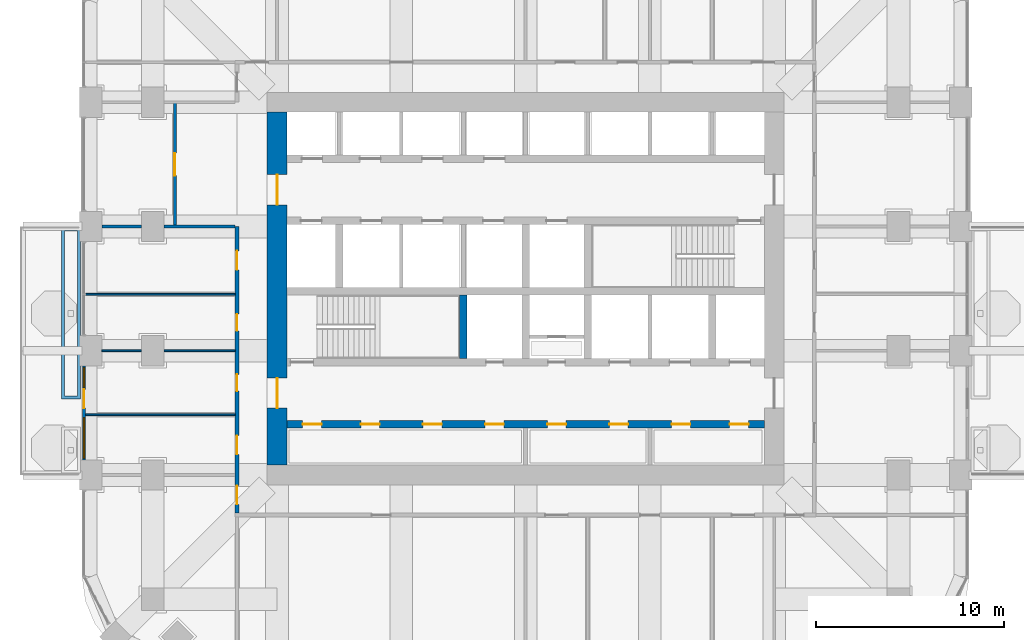
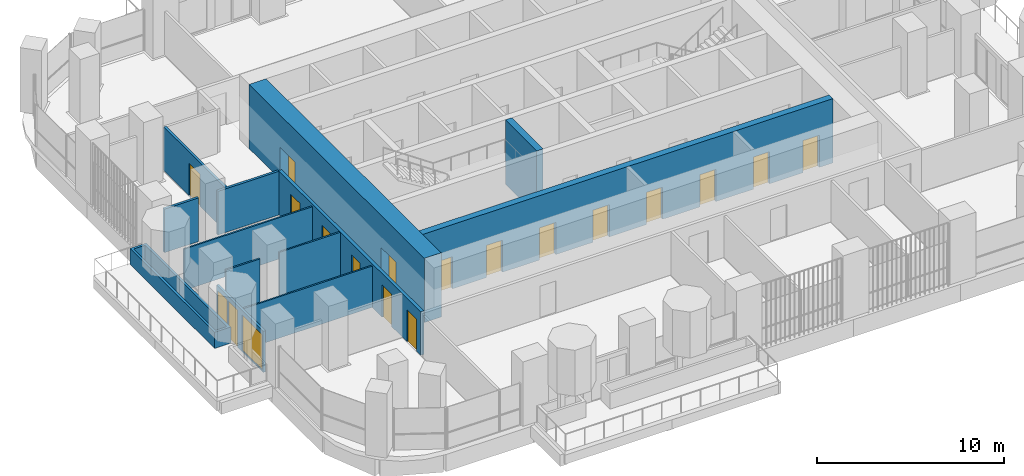
# One storey, part 12 of 20: 17 doors, 13 walls, 2 windows, 19 openings.
"""IFC4 building model written with IfcOpenShell, lengths in metres."""

from ifc_helpers import new_model, si_unit, direction, frame, frame_2d, origin, place, context, subcontext, project, spatial, polyline, rectangle, outline, extrude, material, layer, layer_set, type_object, element, fill, save


model = new_model("IFC4")

# Units and contexts
model_context = context("Model", 3, precision=1e-05, world=origin(), true_north=direction((0.0, 1.0)))
body_context = subcontext(model_context, "Body", "Model", "MODEL_VIEW")
ifc_project = project(units=[si_unit("LENGTHUNIT", "METRE"), si_unit("AREAUNIT", "SQUARE_METRE"), si_unit("VOLUMEUNIT", "CUBIC_METRE"), si_unit("PLANEANGLEUNIT", "RADIAN"), si_unit("MASSUNIT", "GRAM", prefix="KILO")], contexts=[model_context])

# Site, building, storey
site_placement = place(None, origin())
site = spatial("IfcSite", under=ifc_project, at=site_placement, CompositionType="ELEMENT")
building_placement = place(site_placement, origin())
building = spatial("IfcBuilding", under=site, at=building_placement, Name="Cobogo Forest Laboratory Tower", CompositionType="ELEMENT")
storey_placement = place(building_placement, frame((0.0, 0.0, 168.300048828125)))
storey = spatial("IfcBuildingStorey", under=building, at=storey_placement, Name="L38", CompositionType="ELEMENT", Elevation=168.300048828125)

# Wall, openings, doors
ifc_material_1 = material(Name="Concrete HA-50 (C50/60)", Category="concrete")
ifc_layer_1 = layer(ifc_material_1, 0.39990234375)
ifc_layer_set_1 = layer_set([ifc_layer_1], Name="CI400 core inner wall 400")
wall_type_1 = type_object("IfcWallType", Name="CI400 core inner wall 400", PredefinedType="SHEAR", material=ifc_layer_set_1)
wall_1_placement = place(storey_placement, frame((13.72509765625, 15.89990234375, 0.0), z_axis=(0.0, 0.0, 1.0), x_axis=(1.0, 0.0, 0.0)))
wall_1 = element("IfcWall", 1, at=wall_1_placement, inside=storey, type_object=wall_type_1, Name="Core wall CI-15.9 L38", PredefinedType="SHEAR", context=body_context, shape_type="SweptSolid", body=[
    extrude(rectangle(XDim=25.349853515625, YDim=0.39990234375, at=frame_2d((12.6748046875, 0.0))), origin(), (0.0, 0.0, 1.0), 4.199951171875),
])
opening_1_placement = place(wall_1_placement, frame((0.83740234375, 0.0, 0.0)))
opening_1 = element("IfcOpeningElement", 2, at=opening_1_placement, cuts=wall_1, Name="Opening L38-D10", PredefinedType="OPENING", context=body_context, shape_type="SweptSolid", body=[
    extrude(rectangle(XDim=1.0, YDim=2.10009765625, at=frame_2d((0.5, 1.050048828125))), frame((0.0, 0.2099609375, 0.0), z_axis=(0.0, -1.0, 0.0), x_axis=(1.0, 0.0, 0.0)), (0.0, 0.0, 1.0), 0.419921875),
])
opening_2_placement = place(wall_1_placement, frame((3.925048828125, 0.0, 0.0)))
opening_2 = element("IfcOpeningElement", 3, at=opening_2_placement, cuts=wall_1, Name="Opening L38-D11", PredefinedType="OPENING", context=body_context, shape_type="SweptSolid", body=[
    extrude(rectangle(XDim=1.0, YDim=2.10009765625, at=frame_2d((0.5, 1.050048828125))), frame((0.0, 0.2099609375, 0.0), z_axis=(0.0, -1.0, 0.0), x_axis=(1.0, 0.0, 0.0)), (0.0, 0.0, 1.0), 0.419921875),
])
opening_3_placement = place(wall_1_placement, frame((7.22509765625, 0.0, 0.0)))
opening_3 = element("IfcOpeningElement", 4, at=opening_3_placement, cuts=wall_1, Name="Opening L38-D12", PredefinedType="OPENING", context=body_context, shape_type="SweptSolid", body=[
    extrude(rectangle(XDim=1.0, YDim=2.10009765625, at=frame_2d((0.5, 1.050048828125))), frame((0.0, 0.2099609375, 0.0), z_axis=(0.0, -1.0, 0.0), x_axis=(1.0, 0.0, 0.0)), (0.0, 0.0, 1.0), 0.419921875),
])
opening_4_placement = place(wall_1_placement, frame((10.52490234375, 0.0, 0.0)))
opening_4 = element("IfcOpeningElement", 5, at=opening_4_placement, cuts=wall_1, Name="Opening L38-D13", PredefinedType="OPENING", context=body_context, shape_type="SweptSolid", body=[
    extrude(rectangle(XDim=1.0, YDim=2.10009765625, at=frame_2d((0.5, 1.050048828125))), frame((0.0, 0.2099609375, 0.0), z_axis=(0.0, -1.0, 0.0), x_axis=(1.0, 0.0, 0.0)), (0.0, 0.0, 1.0), 0.419921875),
])
opening_5_placement = place(wall_1_placement, frame((13.824951171875, 0.0, 0.0)))
opening_5 = element("IfcOpeningElement", 6, at=opening_5_placement, cuts=wall_1, Name="Opening L38-D14", PredefinedType="OPENING", context=body_context, shape_type="SweptSolid", body=[
    extrude(rectangle(XDim=1.0, YDim=2.10009765625, at=frame_2d((0.5, 1.050048828125))), frame((0.0, 0.2099609375, 0.0), z_axis=(0.0, -1.0, 0.0), x_axis=(1.0, 0.0, 0.0)), (0.0, 0.0, 1.0), 0.419921875),
])
opening_6_placement = place(wall_1_placement, frame((17.125, 0.0, 0.0)))
opening_6 = element("IfcOpeningElement", 7, at=opening_6_placement, cuts=wall_1, Name="Opening L38-D15", PredefinedType="OPENING", context=body_context, shape_type="SweptSolid", body=[
    extrude(rectangle(XDim=1.0, YDim=2.10009765625, at=frame_2d((0.5, 1.050048828125))), frame((0.0, 0.2099609375, 0.0), z_axis=(0.0, -1.0, 0.0), x_axis=(1.0, 0.0, 0.0)), (0.0, 0.0, 1.0), 0.419921875),
])
opening_7_placement = place(wall_1_placement, frame((20.425048828125, 0.0, 0.0)))
opening_7 = element("IfcOpeningElement", 8, at=opening_7_placement, cuts=wall_1, Name="Opening L38-D16", PredefinedType="OPENING", context=body_context, shape_type="SweptSolid", body=[
    extrude(rectangle(XDim=1.0, YDim=2.10009765625, at=frame_2d((0.5, 1.050048828125))), frame((0.0, 0.2099609375, 0.0), z_axis=(0.0, -1.0, 0.0), x_axis=(1.0, 0.0, 0.0)), (0.0, 0.0, 1.0), 0.419921875),
])
opening_8_placement = place(wall_1_placement, frame((23.512451171875, 0.0, 0.0)))
opening_8 = element("IfcOpeningElement", 9, at=opening_8_placement, cuts=wall_1, Name="Opening L38-D17", PredefinedType="OPENING", context=body_context, shape_type="SweptSolid", body=[
    extrude(rectangle(XDim=1.0, YDim=2.10009765625, at=frame_2d((0.5, 1.050048828125))), frame((0.0, 0.2099609375, 0.0), z_axis=(0.0, -1.0, 0.0), x_axis=(1.0, 0.0, 0.0)), (0.0, 0.0, 1.0), 0.419921875),
])
ifc_material_2 = material(Name="Steel fire door", Category="steel")
door_type_1 = type_object("IfcDoorType", Name="FD1 fire door 1000 EI2 60", OperationType="SINGLE_SWING_LEFT", PredefinedType="DOOR", material=ifc_material_2)
door_1_placement = place(opening_1_placement, origin())
door_1 = element("IfcDoor", 10, at=door_1_placement, inside=storey, type_object=door_type_1, Name="Door L38-SH-LA1", OperationType="SINGLE_SWING_LEFT", OverallHeight=2.10009765625, OverallWidth=1.0, PredefinedType="DOOR", context=body_context, shape_type="SweptSolid", body=[
    extrude(rectangle(XDim=1.0, YDim=2.10009765625, at=frame_2d((0.5, 1.050048828125))), frame((0.0, 0.02490234375, 0.0), z_axis=(0.0, -1.0, 0.0), x_axis=(1.0, 0.0, 0.0)), (0.0, 0.0, 1.0), 0.050048828125),
])
fill(opening_1, door_1)
door_2_placement = place(opening_2_placement, origin())
door_2 = element("IfcDoor", 11, at=door_2_placement, inside=storey, type_object=door_type_1, Name="Door L38-SH-LA2", OperationType="SINGLE_SWING_LEFT", OverallHeight=2.10009765625, OverallWidth=1.0, PredefinedType="DOOR", context=body_context, shape_type="SweptSolid", body=[
    extrude(rectangle(XDim=1.0, YDim=2.10009765625, at=frame_2d((0.5, 1.050048828125))), frame((0.0, 0.02490234375, 0.0), z_axis=(0.0, -1.0, 0.0), x_axis=(1.0, 0.0, 0.0)), (0.0, 0.0, 1.0), 0.050048828125),
])
fill(opening_2, door_2)
door_3_placement = place(opening_3_placement, origin())
door_3 = element("IfcDoor", 12, at=door_3_placement, inside=storey, type_object=door_type_1, Name="Door L38-SH-LA3", OperationType="SINGLE_SWING_LEFT", OverallHeight=2.10009765625, OverallWidth=1.0, PredefinedType="DOOR", context=body_context, shape_type="SweptSolid", body=[
    extrude(rectangle(XDim=1.0, YDim=2.10009765625, at=frame_2d((0.5, 1.050048828125))), frame((0.0, 0.02490234375, 0.0), z_axis=(0.0, -1.0, 0.0), x_axis=(1.0, 0.0, 0.0)), (0.0, 0.0, 1.0), 0.050048828125),
])
fill(opening_3, door_3)
door_4_placement = place(opening_4_placement, origin())
door_4 = element("IfcDoor", 13, at=door_4_placement, inside=storey, type_object=door_type_1, Name="Door L38-SH-LA4", OperationType="SINGLE_SWING_LEFT", OverallHeight=2.10009765625, OverallWidth=1.0, PredefinedType="DOOR", context=body_context, shape_type="SweptSolid", body=[
    extrude(rectangle(XDim=1.0, YDim=2.10009765625, at=frame_2d((0.5, 1.050048828125))), frame((0.0, 0.02490234375, 0.0), z_axis=(0.0, -1.0, 0.0), x_axis=(1.0, 0.0, 0.0)), (0.0, 0.0, 1.0), 0.050048828125),
])
fill(opening_4, door_4)
door_5_placement = place(opening_5_placement, origin())
door_5 = element("IfcDoor", 14, at=door_5_placement, inside=storey, type_object=door_type_1, Name="Door L38-SH-LB1", OperationType="SINGLE_SWING_RIGHT", OverallHeight=2.10009765625, OverallWidth=1.0, PredefinedType="DOOR", context=body_context, shape_type="SweptSolid", body=[
    extrude(rectangle(XDim=1.0, YDim=2.10009765625, at=frame_2d((0.5, 1.050048828125))), frame((0.0, 0.02490234375, 0.0), z_axis=(0.0, -1.0, 0.0), x_axis=(1.0, 0.0, 0.0)), (0.0, 0.0, 1.0), 0.050048828125),
])
fill(opening_5, door_5)
door_6_placement = place(opening_6_placement, origin())
door_6 = element("IfcDoor", 15, at=door_6_placement, inside=storey, type_object=door_type_1, Name="Door L38-SH-LB2", OperationType="SINGLE_SWING_RIGHT", OverallHeight=2.10009765625, OverallWidth=1.0, PredefinedType="DOOR", context=body_context, shape_type="SweptSolid", body=[
    extrude(rectangle(XDim=1.0, YDim=2.10009765625, at=frame_2d((0.5, 1.050048828125))), frame((0.0, 0.02490234375, 0.0), z_axis=(0.0, -1.0, 0.0), x_axis=(1.0, 0.0, 0.0)), (0.0, 0.0, 1.0), 0.050048828125),
])
fill(opening_6, door_6)
door_7_placement = place(opening_7_placement, origin())
door_7 = element("IfcDoor", 16, at=door_7_placement, inside=storey, type_object=door_type_1, Name="Door L38-SH-LB3", OperationType="SINGLE_SWING_RIGHT", OverallHeight=2.10009765625, OverallWidth=1.0, PredefinedType="DOOR", context=body_context, shape_type="SweptSolid", body=[
    extrude(rectangle(XDim=1.0, YDim=2.10009765625, at=frame_2d((0.5, 1.050048828125))), frame((0.0, 0.02490234375, 0.0), z_axis=(0.0, -1.0, 0.0), x_axis=(1.0, 0.0, 0.0)), (0.0, 0.0, 1.0), 0.050048828125),
])
fill(opening_7, door_7)
door_8_placement = place(opening_8_placement, origin())
door_8 = element("IfcDoor", 17, at=door_8_placement, inside=storey, type_object=door_type_1, Name="Door L38-SH-LB4", OperationType="SINGLE_SWING_RIGHT", OverallHeight=2.10009765625, OverallWidth=1.0, PredefinedType="DOOR", context=body_context, shape_type="SweptSolid", body=[
    extrude(rectangle(XDim=1.0, YDim=2.10009765625, at=frame_2d((0.5, 1.050048828125))), frame((0.0, 0.02490234375, 0.0), z_axis=(0.0, -1.0, 0.0), x_axis=(1.0, 0.0, 0.0)), (0.0, 0.0, 1.0), 0.050048828125),
])
fill(opening_8, door_8)

# Wall
wall_2_placement = place(storey_placement, frame((23.10009765625, 19.39990234375, 0.0), z_axis=(0.0, 0.0, 1.0), x_axis=(0.0, 1.0, 0.0)))
element("IfcWall", 18, at=wall_2_placement, inside=storey, type_object=wall_type_1, Name="Core wall CX-23.1 L38", PredefinedType="SHEAR", context=body_context, shape_type="SweptSolid", body=[
    extrude(rectangle(XDim=3.35009765625, YDim=0.39990234375, at=frame_2d((1.675048828125, 0.0))), origin(), (0.0, 0.0, 1.0), 4.199951171875),
])

# Wall, openings, doors
ifc_layer_2 = layer(ifc_material_1, 1.050048828125)
ifc_layer_set_2 = layer_set([ifc_layer_2], Name="CW1050 core outer wall 1050")
wall_type_2 = type_object("IfcWallType", Name="CW1050 core outer wall 1050", PredefinedType="SHEAR", material=ifc_layer_set_2)
wall_3_placement = place(storey_placement, frame((13.199951171875, 32.47509765625, 0.0), z_axis=(0.0, 0.0, 1.0), x_axis=(0.0, -1.0, 0.0)))
wall_3 = element("IfcWall", 19, at=wall_3_placement, inside=storey, type_object=wall_type_2, Name="Core wall CO-W L38", PredefinedType="SHEAR", context=body_context, shape_type="SweptSolid", body=[
    extrude(rectangle(XDim=18.75, YDim=1.050048828125, at=frame_2d((9.375, 0.0))), origin(), (0.0, 0.0, 1.0), 4.199951171875),
])
opening_9_placement = place(wall_3_placement, frame((14.125, 0.0, 0.0)))
opening_9 = element("IfcOpeningElement", 20, at=opening_9_placement, cuts=wall_3, Name="Opening L38-D20", PredefinedType="OPENING", context=body_context, shape_type="SweptSolid", body=[
    extrude(rectangle(XDim=1.60009765625, YDim=2.10009765625, at=frame_2d((0.800048828125, 1.050048828125))), frame((0.0, 0.534912109375, 0.0), z_axis=(0.0, -1.0, 0.0), x_axis=(1.0, 0.0, 0.0)), (0.0, 0.0, 1.0), 1.070068359375),
])
opening_10_placement = place(wall_3_placement, frame((3.324951171875, 0.0, 0.0)))
opening_10 = element("IfcOpeningElement", 21, at=opening_10_placement, cuts=wall_3, Name="Opening L38-D32", PredefinedType="OPENING", context=body_context, shape_type="SweptSolid", body=[
    extrude(rectangle(XDim=1.60009765625, YDim=2.10009765625, at=frame_2d((0.800048828125, 1.050048828125))), frame((0.0, 0.534912109375, 0.0), z_axis=(0.0, -1.0, 0.0), x_axis=(1.0, 0.0, 0.0)), (0.0, 0.0, 1.0), 1.070068359375),
])
door_type_2 = type_object("IfcDoorType", Name="DS2 protected lobby door pair 1600 EI2 60", OperationType="DOUBLE_DOOR_DOUBLE_SWING", PredefinedType="DOOR", material=ifc_material_2)
door_9_placement = place(opening_9_placement, origin())
door_9 = element("IfcDoor", 22, at=door_9_placement, inside=storey, type_object=door_type_2, Name="Door L38-CO-W-S", OperationType="DOUBLE_DOOR_DOUBLE_SWING", OverallHeight=2.10009765625, OverallWidth=1.60009765625, PredefinedType="DOOR", context=body_context, shape_type="SweptSolid", body=[
    extrude(rectangle(XDim=1.60009765625, YDim=2.10009765625, at=frame_2d((0.800048828125, 1.050048828125))), frame((0.0, 0.02490234375, 0.0), z_axis=(0.0, -1.0, 0.0), x_axis=(1.0, 0.0, 0.0)), (0.0, 0.0, 1.0), 0.050048828125),
])
fill(opening_9, door_9)
door_10_placement = place(opening_10_placement, origin())
door_10 = element("IfcDoor", 23, at=door_10_placement, inside=storey, type_object=door_type_2, Name="Door L38-CO-W-N", OperationType="DOUBLE_DOOR_DOUBLE_SWING", OverallHeight=2.10009765625, OverallWidth=1.60009765625, PredefinedType="DOOR", context=body_context, shape_type="SweptSolid", body=[
    extrude(rectangle(XDim=1.60009765625, YDim=2.10009765625, at=frame_2d((0.800048828125, 1.050048828125))), frame((0.0, 0.02490234375, 0.0), z_axis=(0.0, -1.0, 0.0), x_axis=(1.0, 0.0, 0.0)), (0.0, 0.0, 1.0), 0.050048828125),
])
fill(opening_10, door_10)

# Wall, openings, door, windows
ifc_material_3 = material(Name="Aluminium framed glazed screen", Category="aluminium")
ifc_layer_3 = layer(ifc_material_3, 0.14990234375)
ifc_layer_set_3 = layer_set([ifc_layer_3], Name="GS1 glazed door screen 150")
wall_type_3 = type_object("IfcWallType", Name="GS1 glazed door screen 150", PredefinedType="SOLIDWALL", material=ifc_layer_set_3)
wall_4_placement = place(storey_placement, frame((2.949951171875, 19.0, 0.0), z_axis=(0.0, 0.0, 1.0), x_axis=(0.0, -1.0, 0.0)))
wall_4 = element("IfcWall", 24, at=wall_4_placement, inside=storey, type_object=wall_type_3, Name="Door screen BAL-W1 L38", PredefinedType="SOLIDWALL", context=body_context, shape_type="SweptSolid", body=[
    extrude(rectangle(XDim=5.0, YDim=0.14990234375, at=frame_2d((2.5, 0.0))), origin(), (0.0, 0.0, 1.0), 2.699951171875),
])
opening_11_placement = place(wall_4_placement, frame((1.25, 0.0, 0.0)))
opening_11 = element("IfcOpeningElement", 25, at=opening_11_placement, cuts=wall_4, Name="Opening L38-D18", PredefinedType="OPENING", context=body_context, shape_type="SweptSolid", body=[
    extrude(rectangle(XDim=1.0, YDim=2.39990234375, at=frame_2d((0.5, 1.199951171875))), frame((0.0, 0.0849609375, 0.0), z_axis=(0.0, -1.0, 0.0), x_axis=(1.0, 0.0, 0.0)), (0.0, 0.0, 1.0), 0.169921875),
])
opening_12_placement = place(wall_4_placement, frame((0.10009765625, 0.0, 0.10009765625)))
opening_12 = element("IfcOpeningElement", 26, at=opening_12_placement, cuts=wall_4, Name="Opening L38-W05", PredefinedType="OPENING", context=body_context, shape_type="SweptSolid", body=[
    extrude(rectangle(XDim=1.050048828125, YDim=2.300048828125, at=frame_2d((0.52490234375, 1.14990234375))), frame((0.0, 0.0849609375, 0.0), z_axis=(0.0, -1.0, 0.0), x_axis=(1.0, 0.0, 0.0)), (0.0, 0.0, 1.0), 0.169921875),
])
opening_13_placement = place(wall_4_placement, frame((2.75, 0.0, 0.10009765625)))
opening_13 = element("IfcOpeningElement", 27, at=opening_13_placement, cuts=wall_4, Name="Opening L38-W03", PredefinedType="OPENING", context=body_context, shape_type="SweptSolid", body=[
    extrude(rectangle(XDim=2.14990234375, YDim=2.300048828125, at=frame_2d((1.074951171875, 1.14990234375))), frame((0.0, 0.0849609375, 0.0), z_axis=(0.0, -1.0, 0.0), x_axis=(1.0, 0.0, 0.0)), (0.0, 0.0, 1.0), 0.169921875),
])
ifc_material_4 = material(Name="Aluminium glazed door", Category="aluminium")
door_type_3 = type_object("IfcDoorType", Name="DB1 balcony door 1000 glazed", OperationType="SINGLE_SWING_LEFT", PredefinedType="DOOR", material=ifc_material_4)
door_11_placement = place(opening_11_placement, origin())
door_11 = element("IfcDoor", 28, at=door_11_placement, inside=storey, type_object=door_type_3, Name="Door L38-BAL-W1", OperationType="SINGLE_SWING_LEFT", OverallHeight=2.39990234375, OverallWidth=1.0, PredefinedType="DOOR", context=body_context, shape_type="SweptSolid", body=[
    extrude(rectangle(XDim=1.0, YDim=2.39990234375, at=frame_2d((0.5, 1.199951171875))), frame((0.0, 0.02490234375, 0.0), z_axis=(0.0, -1.0, 0.0), x_axis=(1.0, 0.0, 0.0)), (0.0, 0.0, 1.0), 0.050048828125),
])
fill(opening_11, door_11)
ifc_material_5 = material(Name="Aluminium framed glazing", Category="aluminium")
window_type_1 = type_object("IfcWindowType", Name="WG13 fixed glazed light 2150x2300", PartitioningType="SINGLE_PANEL", PredefinedType="WINDOW", material=ifc_material_5)
window_1_placement = place(opening_13_placement, origin())
window_1 = element("IfcWindow", 29, at=window_1_placement, inside=storey, type_object=window_type_1, Name="Window L38-BAL-W1-2", OverallHeight=2.300048828125, OverallWidth=2.14990234375, PartitioningType="SINGLE_PANEL", PredefinedType="WINDOW", context=body_context, shape_type="SweptSolid", body=[
    extrude(rectangle(XDim=2.14990234375, YDim=2.300048828125, at=frame_2d((1.074951171875, 1.14990234375))), frame((0.0, 0.030029296875, 0.0), z_axis=(0.0, -1.0, 0.0), x_axis=(1.0, 0.0, 0.0)), (0.0, 0.0, 1.0), 0.06005859375),
])
fill(opening_13, window_1)
window_type_2 = type_object("IfcWindowType", Name="WG14 fixed glazed light 1050x2300", PartitioningType="SINGLE_PANEL", PredefinedType="WINDOW", material=ifc_material_5)
window_2_placement = place(opening_12_placement, origin())
window_2 = element("IfcWindow", 30, at=window_2_placement, inside=storey, type_object=window_type_2, Name="Window L38-BAL-W1-1", OverallHeight=2.300048828125, OverallWidth=1.050048828125, PartitioningType="SINGLE_PANEL", PredefinedType="WINDOW", context=body_context, shape_type="SweptSolid", body=[
    extrude(rectangle(XDim=1.050048828125, YDim=2.300048828125, at=frame_2d((0.52490234375, 1.14990234375))), frame((0.0, 0.030029296875, 0.0), z_axis=(0.0, -1.0, 0.0), x_axis=(1.0, 0.0, 0.0)), (0.0, 0.0, 1.0), 0.06005859375),
])
fill(opening_12, window_2)

# Wall, opening, door
ifc_material_6 = material(Name="Gypsum board on steel studs", Category="steel")
ifc_layer_4 = layer(ifc_material_6, 0.14990234375)
ifc_layer_set_4 = layer_set([ifc_layer_4], Name="PT1 laboratory partition 150")
wall_type_4 = type_object("IfcWallType", Name="PT1 laboratory partition 150", PredefinedType="PARTITIONING", material=ifc_layer_set_4)
wall_5_placement = place(storey_placement, frame((7.77490234375, 26.39990234375, 0.0), z_axis=(0.0, 0.0, 1.0), x_axis=(0.0, 1.0, 0.0)))
wall_5 = element("IfcWall", 31, at=wall_5_placement, inside=storey, type_object=wall_type_4, Name="Partition NODE-W-1 L38", PredefinedType="PARTITIONING", context=body_context, shape_type="SweptSolid", body=[
    extrude(rectangle(XDim=6.60009765625, YDim=0.14990234375, at=frame_2d((3.300048828125, 0.0))), origin(), (0.0, 0.0, 1.0), 2.849853515625),
])
opening_14_placement = place(wall_5_placement, frame((2.699951171875, 0.0, 0.0)))
opening_14 = element("IfcOpeningElement", 32, at=opening_14_placement, cuts=wall_5, Name="Opening L38-D34", PredefinedType="OPENING", context=body_context, shape_type="SweptSolid", body=[
    extrude(rectangle(XDim=1.199951171875, YDim=2.10009765625, at=frame_2d((0.60009765625, 1.050048828125))), frame((0.0, 0.0849609375, 0.0), z_axis=(0.0, -1.0, 0.0), x_axis=(1.0, 0.0, 0.0)), (0.0, 0.0, 1.0), 0.169921875),
])
ifc_material_7 = material(Name="Timber door", Category="wood")
door_type_4 = type_object("IfcDoorType", Name="D2 laboratory door 1200 unequal pair", OperationType="DOUBLE_DOOR_SINGLE_SWING", PredefinedType="DOOR", material=ifc_material_7)
door_12_placement = place(opening_14_placement, origin())
door_12 = element("IfcDoor", 33, at=door_12_placement, inside=storey, type_object=door_type_4, Name="Door L38-W3", OperationType="DOUBLE_DOOR_SINGLE_SWING", OverallHeight=2.10009765625, OverallWidth=1.199951171875, PredefinedType="DOOR", context=body_context, shape_type="SweptSolid", body=[
    extrude(rectangle(XDim=1.199951171875, YDim=2.10009765625, at=frame_2d((0.60009765625, 1.050048828125))), frame((0.0, 0.02490234375, 0.0), z_axis=(0.0, -1.0, 0.0), x_axis=(1.0, 0.0, 0.0)), (0.0, 0.0, 1.0), 0.050048828125),
])
fill(opening_14, door_12)

# Walls
wall_6_placement = place(storey_placement, frame((3.89990234375, 26.39990234375, 0.0), z_axis=(0.0, 0.0, 1.0), x_axis=(1.0, 0.0, 0.0)))
element("IfcWall", 34, at=wall_6_placement, inside=storey, type_object=wall_type_4, Name="Partition CUT-W26.4-1 L38", PredefinedType="PARTITIONING", context=body_context, shape_type="SweptSolid", body=[
    extrude(rectangle(XDim=2.10009765625, YDim=0.14990234375, at=frame_2d((1.050048828125, 0.0))), origin(), (0.0, 0.0, 1.0), 2.849853515625),
])
wall_7_placement = place(storey_placement, frame((7.199951171875, 26.39990234375, 0.0), z_axis=(0.0, 0.0, 1.0), x_axis=(1.0, 0.0, 0.0)))
element("IfcWall", 35, at=wall_7_placement, inside=storey, type_object=wall_type_4, Name="Partition CUT-W26.4-2 L38", PredefinedType="PARTITIONING", context=body_context, shape_type="SweptSolid", body=[
    extrude(rectangle(XDim=3.775146484375, YDim=0.14990234375, at=frame_2d((1.8876953125, 0.0))), origin(), (0.0, 0.0, 1.0), 2.849853515625),
])

# Wall, openings, doors
ifc_layer_5 = layer(ifc_material_6, 0.199951171875)
ifc_layer_set_5 = layer_set([ifc_layer_5], Name="PT2 fire-rated corridor partition 200")
wall_type_5 = type_object("IfcWallType", Name="PT2 fire-rated corridor partition 200", PredefinedType="PARTITIONING", material=ifc_layer_set_5)
wall_8_placement = place(storey_placement, frame((11.074951171875, 11.175048828125, 0.0), z_axis=(0.0, 0.0, 1.0), x_axis=(0.0, 1.0, 0.0)))
wall_8 = element("IfcWall", 36, at=wall_8_placement, inside=storey, type_object=wall_type_5, Name="Partition CORR-W-1 L38", PredefinedType="PARTITIONING", context=body_context, shape_type="SweptSolid", body=[
    extrude(rectangle(XDim=15.224853515625, YDim=0.199951171875, at=frame_2d((7.6123046875, 0.0))), origin(), (0.0, 0.0, 1.0), 2.849853515625),
])
opening_15_placement = place(wall_8_placement, frame((0.46240234375, 0.0, 0.0)))
opening_15 = element("IfcOpeningElement", 37, at=opening_15_placement, cuts=wall_8, Name="Opening L38-D07", PredefinedType="OPENING", context=body_context, shape_type="SweptSolid", body=[
    extrude(rectangle(XDim=1.0, YDim=2.10009765625, at=frame_2d((0.5, 1.050048828125))), frame((0.0, 0.10986328125, 0.0), z_axis=(0.0, -1.0, 0.0), x_axis=(1.0, 0.0, 0.0)), (0.0, 0.0, 1.0), 0.219970703125),
])
opening_16_placement = place(wall_8_placement, frame((3.125, 0.0, 0.0)))
opening_16 = element("IfcOpeningElement", 38, at=opening_16_placement, cuts=wall_8, Name="Opening L38-D08", PredefinedType="OPENING", context=body_context, shape_type="SweptSolid", body=[
    extrude(rectangle(XDim=1.0, YDim=2.10009765625, at=frame_2d((0.5, 1.050048828125))), frame((0.0, 0.10986328125, 0.0), z_axis=(0.0, -1.0, 0.0), x_axis=(1.0, 0.0, 0.0)), (0.0, 0.0, 1.0), 0.219970703125),
])
opening_17_placement = place(wall_8_placement, frame((6.47509765625, 0.0, 0.0)))
opening_17 = element("IfcOpeningElement", 39, at=opening_17_placement, cuts=wall_8, Name="Opening L38-D22", PredefinedType="OPENING", context=body_context, shape_type="SweptSolid", body=[
    extrude(rectangle(XDim=0.89990234375, YDim=2.10009765625, at=frame_2d((0.449951171875, 1.050048828125))), frame((0.0, 0.10986328125, 0.0), z_axis=(0.0, -1.0, 0.0), x_axis=(1.0, 0.0, 0.0)), (0.0, 0.0, 1.0), 0.219970703125),
])
opening_18_placement = place(wall_8_placement, frame((9.675048828125, 0.0, 0.0)))
opening_18 = element("IfcOpeningElement", 40, at=opening_18_placement, cuts=wall_8, Name="Opening L38-D27", PredefinedType="OPENING", context=body_context, shape_type="SweptSolid", body=[
    extrude(rectangle(XDim=0.89990234375, YDim=2.10009765625, at=frame_2d((0.449951171875, 1.050048828125))), frame((0.0, 0.10986328125, 0.0), z_axis=(0.0, -1.0, 0.0), x_axis=(1.0, 0.0, 0.0)), (0.0, 0.0, 1.0), 0.219970703125),
])
opening_19_placement = place(wall_8_placement, frame((12.925048828125, 0.0, 0.0)))
opening_19 = element("IfcOpeningElement", 41, at=opening_19_placement, cuts=wall_8, Name="Opening L38-D29", PredefinedType="OPENING", context=body_context, shape_type="SweptSolid", body=[
    extrude(rectangle(XDim=1.0, YDim=2.10009765625, at=frame_2d((0.5, 1.050048828125))), frame((0.0, 0.10986328125, 0.0), z_axis=(0.0, -1.0, 0.0), x_axis=(1.0, 0.0, 0.0)), (0.0, 0.0, 1.0), 0.219970703125),
])
ifc_material_8 = material(Name="Timber fire door", Category="wood")
door_type_5 = type_object("IfcDoorType", Name="FD2 fire door 1000 EI2 30", OperationType="SINGLE_SWING_LEFT", PredefinedType="DOOR", material=ifc_material_8)
door_13_placement = place(opening_15_placement, origin())
door_13 = element("IfcDoor", 42, at=door_13_placement, inside=storey, type_object=door_type_5, Name="Door L38-W1", OperationType="SINGLE_SWING_LEFT", OverallHeight=2.10009765625, OverallWidth=1.0, PredefinedType="DOOR", context=body_context, shape_type="SweptSolid", body=[
    extrude(rectangle(XDim=1.0, YDim=2.10009765625, at=frame_2d((0.5, 1.050048828125))), frame((0.0, 0.02490234375, 0.0), z_axis=(0.0, -1.0, 0.0), x_axis=(1.0, 0.0, 0.0)), (0.0, 0.0, 1.0), 0.050048828125),
])
fill(opening_15, door_13)
door_14_placement = place(opening_19_placement, origin())
door_14 = element("IfcDoor", 43, at=door_14_placement, inside=storey, type_object=door_type_5, Name="Door L38-SHW", OperationType="SINGLE_SWING_RIGHT", OverallHeight=2.10009765625, OverallWidth=1.0, PredefinedType="DOOR", context=body_context, shape_type="SweptSolid", body=[
    extrude(rectangle(XDim=1.0, YDim=2.10009765625, at=frame_2d((0.5, 1.050048828125))), frame((0.0, 0.02490234375, 0.0), z_axis=(0.0, -1.0, 0.0), x_axis=(1.0, 0.0, 0.0)), (0.0, 0.0, 1.0), 0.050048828125),
])
fill(opening_19, door_14)
door_type_6 = type_object("IfcDoorType", Name="FD3 toilet fire door 900 EI2 30", OperationType="SINGLE_SWING_LEFT", PredefinedType="DOOR", material=ifc_material_8)
door_15_placement = place(opening_17_placement, origin())
door_15 = element("IfcDoor", 44, at=door_15_placement, inside=storey, type_object=door_type_6, Name="Door L38-WCF", OperationType="SINGLE_SWING_LEFT", OverallHeight=2.10009765625, OverallWidth=0.89990234375, PredefinedType="DOOR", context=body_context, shape_type="SweptSolid", body=[
    extrude(rectangle(XDim=0.89990234375, YDim=2.10009765625, at=frame_2d((0.449951171875, 1.050048828125))), frame((0.0, 0.02490234375, 0.0), z_axis=(0.0, -1.0, 0.0), x_axis=(1.0, 0.0, 0.0)), (0.0, 0.0, 1.0), 0.050048828125),
])
fill(opening_17, door_15)
door_16_placement = place(opening_18_placement, origin())
door_16 = element("IfcDoor", 45, at=door_16_placement, inside=storey, type_object=door_type_6, Name="Door L38-WCM", OperationType="SINGLE_SWING_RIGHT", OverallHeight=2.10009765625, OverallWidth=0.89990234375, PredefinedType="DOOR", context=body_context, shape_type="SweptSolid", body=[
    extrude(rectangle(XDim=0.89990234375, YDim=2.10009765625, at=frame_2d((0.449951171875, 1.050048828125))), frame((0.0, 0.02490234375, 0.0), z_axis=(0.0, -1.0, 0.0), x_axis=(1.0, 0.0, 0.0)), (0.0, 0.0, 1.0), 0.050048828125),
])
fill(opening_18, door_16)
door_type_7 = type_object("IfcDoorType", Name="FDA1 accessible toilet fire door 1000 EI2 30", OperationType="SINGLE_SWING_RIGHT", PredefinedType="DOOR", material=ifc_material_8)
door_17_placement = place(opening_16_placement, origin())
door_17 = element("IfcDoor", 46, at=door_17_placement, inside=storey, type_object=door_type_7, Name="Door L38-WCA", OperationType="SINGLE_SWING_LEFT", OverallHeight=2.10009765625, OverallWidth=1.0, PredefinedType="DOOR", context=body_context, shape_type="SweptSolid", body=[
    extrude(rectangle(XDim=1.0, YDim=2.10009765625, at=frame_2d((0.5, 1.050048828125))), frame((0.0, 0.02490234375, 0.0), z_axis=(0.0, -1.0, 0.0), x_axis=(1.0, 0.0, 0.0)), (0.0, 0.0, 1.0), 0.050048828125),
])
fill(opening_16, door_17)

# Walls
ifc_layer_6 = layer(ifc_material_6, 0.10009765625)
ifc_layer_set_6 = layer_set([ifc_layer_6], Name="PT3 toilet partition 100")
wall_type_6 = type_object("IfcWallType", Name="PT3 toilet partition 100", PredefinedType="PARTITIONING", material=ifc_layer_set_6)
wall_9_placement = place(storey_placement, frame((3.030029296875, 16.39990234375, 0.0), z_axis=(0.0, 0.0, 1.0), x_axis=(1.0, 0.0, 0.0)))
element("IfcWall", 47, at=wall_9_placement, inside=storey, type_object=wall_type_6, Name="Partition SVC-W1-1 L38", PredefinedType="PARTITIONING", context=body_context, shape_type="SweptSolid", body=[
    extrude(rectangle(XDim=7.945068359375, YDim=0.10009765625, at=frame_2d((3.97265625, 0.0))), origin(), (0.0, 0.0, 1.0), 2.699951171875),
])
wall_10_placement = place(storey_placement, frame((3.89990234375, 19.800048828125, 0.0), z_axis=(0.0, 0.0, 1.0), x_axis=(1.0, 0.0, 0.0)))
element("IfcWall", 48, at=wall_10_placement, inside=storey, type_object=wall_type_6, Name="Partition SVC-W2-1 L38", PredefinedType="PARTITIONING", context=body_context, shape_type="SweptSolid", body=[
    extrude(rectangle(XDim=2.10009765625, YDim=0.10009765625, at=frame_2d((1.050048828125, 0.0))), origin(), (0.0, 0.0, 1.0), 2.849853515625),
])
wall_11_placement = place(storey_placement, frame((7.199951171875, 19.800048828125, 0.0), z_axis=(0.0, 0.0, 1.0), x_axis=(1.0, 0.0, 0.0)))
element("IfcWall", 49, at=wall_11_placement, inside=storey, type_object=wall_type_6, Name="Partition SVC-W2-2 L38", PredefinedType="PARTITIONING", context=body_context, shape_type="SweptSolid", body=[
    extrude(rectangle(XDim=3.775146484375, YDim=0.10009765625, at=frame_2d((1.8876953125, 0.0))), origin(), (0.0, 0.0, 1.0), 2.849853515625),
])
wall_12_placement = place(storey_placement, frame((3.030029296875, 22.800048828125, 0.0), z_axis=(0.0, 0.0, 1.0), x_axis=(1.0, 0.0, 0.0)))
element("IfcWall", 50, at=wall_12_placement, inside=storey, type_object=wall_type_6, Name="Partition SVC-W3-1 L38", PredefinedType="PARTITIONING", context=body_context, shape_type="SweptSolid", body=[
    extrude(rectangle(XDim=7.945068359375, YDim=0.10009765625, at=frame_2d((3.97265625, 0.0))), origin(), (0.0, 0.0, 1.0), 2.699951171875),
])
ifc_material_9 = material(Name="Concrete HA-40 (C40/50)", Category="concrete")
ifc_layer_7 = layer(ifc_material_9, 0.14990234375)
ifc_layer_set_7 = layer_set([ifc_layer_7], Name="Planter box 1000x1050")
wall_type_7 = type_object("IfcWallType", Name="Planter box 1000x1050", PredefinedType="USERDEFINED", material=ifc_layer_set_7)
wall_13_placement = place(storey_placement, origin())
element("IfcWall", 51, at=wall_13_placement, inside=storey, type_object=wall_type_7, Name="Planter BAL-W1-2 L38", ObjectType="PLANTER", PredefinedType="USERDEFINED", context=body_context, shape_type="SweptSolid", body=[
    extrude(outline(polyline([(1.75, 17.25), (2.75, 17.25), (2.75, 26.300048828125), (1.75, 26.300048828125), (1.75, 17.25)]), holes=[polyline([(1.89990234375, 17.39990234375), (2.60009765625, 17.39990234375), (2.60009765625, 26.14990234375), (1.89990234375, 26.14990234375), (1.89990234375, 17.39990234375)])]), origin(), (0.0, 0.0, 1.0), 1.050048828125),
])

save(model, "model.ifc")
